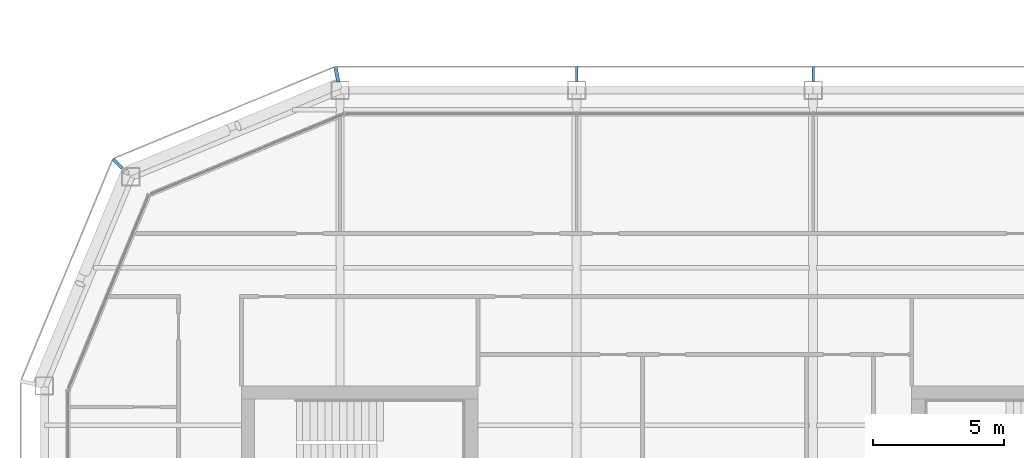
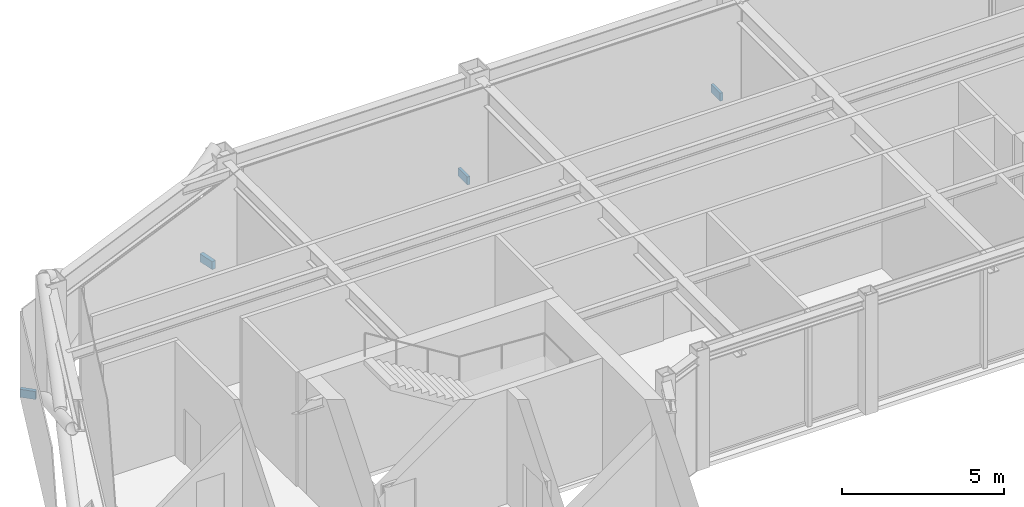
# One storey, part 15 of 21: 4 discrete accessories.
"""IFC4 building model written with IfcOpenShell, lengths in metres."""

from ifc_helpers import new_model, si_unit, direction, frame, origin, origin_2d, place, context, subcontext, project, spatial, rectangle, extrude, material, type_object, element, save


model = new_model("IFC4")

# Units and contexts
model_context = context("Model", 3, precision=1e-05, world=origin(), true_north=direction((0.0, 1.0)))
body_context = subcontext(model_context, "Body", "Model", "MODEL_VIEW")
ifc_project = project(units=[si_unit("LENGTHUNIT", "METRE"), si_unit("AREAUNIT", "SQUARE_METRE"), si_unit("VOLUMEUNIT", "CUBIC_METRE"), si_unit("PLANEANGLEUNIT", "RADIAN"), si_unit("MASSUNIT", "GRAM", prefix="KILO")], contexts=[model_context])

# Site, building, storey
site_placement = place(None, origin())
site = spatial("IfcSite", under=ifc_project, at=site_placement, CompositionType="ELEMENT")
building_placement = place(site_placement, origin())
building = spatial("IfcBuilding", under=site, at=building_placement, Name="Siwar Civic Tower", CompositionType="ELEMENT")
storey_placement = place(building_placement, frame((0.0, 0.0, 343.699951171875)))
storey = spatial("IfcBuildingStorey", under=building, at=storey_placement, Name="L74", CompositionType="ELEMENT", Elevation=343.699951171875)

# Discrete accessories
ifc_material = material(Name="Stainless steel 316", Category="steel")
discrete_accessory_type = type_object("IfcDiscreteAccessoryType", Name="ENV-BRACKET", PredefinedType="BRACKET", material=ifc_material)
for number, where, z_axis, x_axis, name in (
    (1, (4.5, 25.364990234375, -0.14990234375), (0.0, 0.0, 1.0), (0.0, 1.0, 0.0), "Bracket outer skin joint N-01"),
    (2, (-4.5, 25.364990234375, -0.14990234375), (0.0, 0.0, 1.0), (0.0, 1.0, 0.0), "Bracket outer skin joint N-02"),
):
    element("IfcDiscreteAccessory", number, at=place(storey_placement, frame(where, z_axis=z_axis, x_axis=x_axis)), inside=storey, type_object=discrete_accessory_type, Name=name, PredefinedType="BRACKET", context=body_context, shape_type="SweptSolid", body=[
        extrude(rectangle(XDim=0.570068359375, YDim=0.10009765625, at=origin_2d()), origin(), (0.0, 0.0, 1.0), 0.300048828125),
    ])
discrete_accessory_1_placement = place(storey_placement, frame((-13.622314453125, 25.365234375, -0.14990234375), z_axis=(0.0, 0.0, 1.0), x_axis=(-0.195090322016, 0.980785280403, 0.0)))
element("IfcDiscreteAccessory", 3, at=discrete_accessory_1_placement, inside=storey, type_object=discrete_accessory_type, Name="Bracket outer skin joint V07", PredefinedType="BRACKET", context=body_context, shape_type="SweptSolid", body=[
    extrude(rectangle(XDim=0.580810546875, YDim=0.13720703125, at=origin_2d()), origin(), (0.0, 0.0, 1.0), 0.300048828125),
])
discrete_accessory_2_placement = place(storey_placement, frame((-21.96728515625, 21.96728515625, -0.14990234375), z_axis=(0.0, 0.0, 1.0), x_axis=(-0.707106781187, 0.707106781187, 0.0)))
element("IfcDiscreteAccessory", 4, at=discrete_accessory_2_placement, inside=storey, type_object=discrete_accessory_type, Name="Bracket outer skin joint V08", PredefinedType="BRACKET", context=body_context, shape_type="SweptSolid", body=[
    extrude(rectangle(XDim=0.499267578125, YDim=0.12939453125, at=origin_2d()), origin(), (0.0, 0.0, 1.0), 0.300048828125),
])

save(model, "model.ifc")
